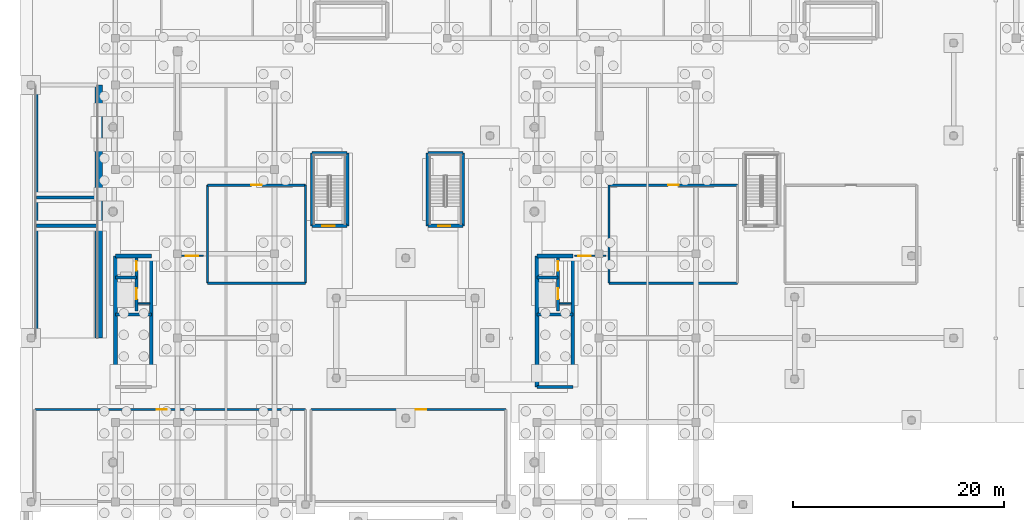
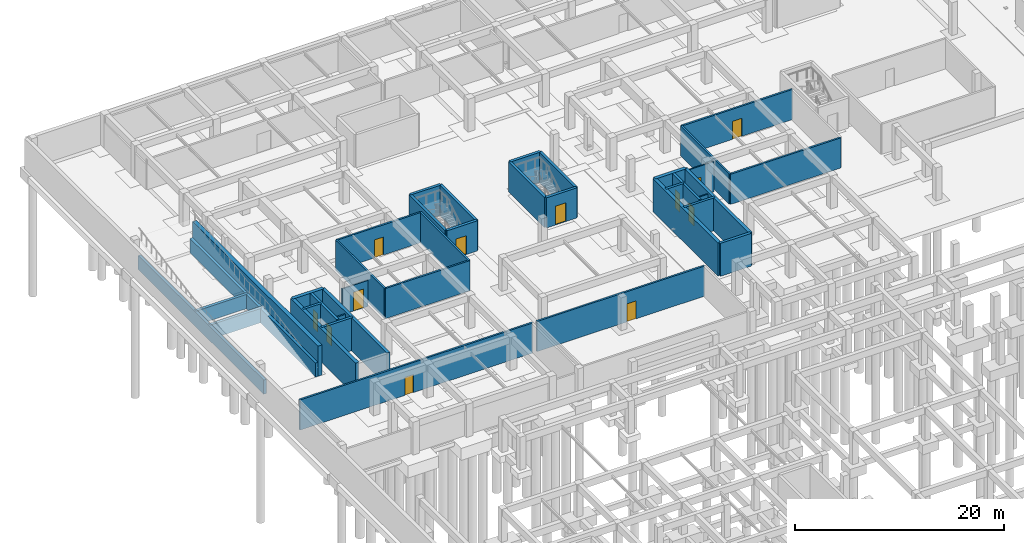
# One storey, part 19 of 35: 39 walls, 12 doors, 12 openings.
"""IFC4 building model written with IfcOpenShell, lengths in metres."""

from ifc_helpers import new_model, si_unit, direction, frame, frame_2d, origin, place, context, subcontext, project, spatial, rectangle, extrude, material, layer, layer_set, type_object, element, fill, save


model = new_model("IFC4")

# Units and contexts
model_context = context("Model", 3, precision=1e-05, world=origin(), true_north=direction((0.0, 1.0)))
body_context = subcontext(model_context, "Body", "Model", "MODEL_VIEW")
ifc_project = project(units=[si_unit("LENGTHUNIT", "METRE"), si_unit("AREAUNIT", "SQUARE_METRE"), si_unit("VOLUMEUNIT", "CUBIC_METRE"), si_unit("PLANEANGLEUNIT", "RADIAN"), si_unit("MASSUNIT", "GRAM", prefix="KILO")], contexts=[model_context])

# Site, building, storey
site_placement = place(None, origin())
site = spatial("IfcSite", under=ifc_project, at=site_placement, CompositionType="ELEMENT")
building_placement = place(site_placement, origin())
building = spatial("IfcBuilding", under=site, at=building_placement, Name="Keldmere Railside Commons", CompositionType="ELEMENT")
storey_placement = place(building_placement, frame((0.0, 0.0, -3.840087890625)))
storey = spatial("IfcBuildingStorey", under=building, at=storey_placement, Name="B1", CompositionType="ELEMENT", Elevation=-3.840087890625)

# Walls
ifc_material_1 = material(Name="Concrete H-35 (C35/45)", Category="concrete")
ifc_layer_1 = layer(ifc_material_1, 0.280029296875, Name="Core Shear Wall 280")
ifc_layer_set_1 = layer_set([ifc_layer_1], Name="Concrete H-35 (C35/45)")
wall_type_1 = type_object("IfcWallType", Name="Core Shear Wall 280", PredefinedType="SHEAR", material=ifc_layer_set_1)
wall_1_placement = place(storey_placement, frame((8.4599609375, 74.239990234375, 0.0), z_axis=(0.0, 0.0, 1.0), x_axis=(1.0, 0.0, 0.0)))
element("IfcWall", 1, at=wall_1_placement, inside=storey, type_object=wall_type_1, Name="CSW-2 COREDM-B1-0019", PredefinedType="SHEAR", context=body_context, shape_type="SweptSolid", body=[
    extrude(rectangle(XDim=3.41015625, YDim=0.280029296875, at=frame_2d((1.705078125, 0.0))), origin(), (0.0, 0.0, 1.0), 3.840087890625),
])
wall_2_placement = place(storey_placement, frame((8.4599609375, 77.75, 0.0), z_axis=(0.0, 0.0, 1.0), x_axis=(1.0, 0.0, 0.0)))
element("IfcWall", 2, at=wall_2_placement, inside=storey, type_object=wall_type_1, Name="CSW-2 COREDL-B1-0020", PredefinedType="SHEAR", context=body_context, shape_type="SweptSolid", body=[
    extrude(rectangle(XDim=2.0, YDim=0.280029296875, at=frame_2d((1.0, 0.0))), origin(), (0.0, 0.0, 1.0), 3.840087890625),
])

# Wall, openings, doors
wall_3_placement = place(storey_placement, frame((10.4599609375, 74.550048828125, 0.0), z_axis=(0.0, 0.0, 1.0), x_axis=(0.0, 1.0, 0.0)))
wall_3 = element("IfcWall", 3, at=wall_3_placement, inside=storey, type_object=wall_type_1, Name="CSW-2 LSHD-B1-0021", PredefinedType="SHEAR", context=body_context, shape_type="SweptSolid", body=[
    extrude(rectangle(XDim=5.25, YDim=0.280029296875, at=frame_2d((2.625, 0.0))), origin(), (0.0, 0.0, 1.0), 3.840087890625),
])
opening_1_placement = place(wall_3_placement, frame((1.14990234375, 0.0, 0.0)))
opening_1 = element("IfcOpeningElement", 4, at=opening_1_placement, cuts=wall_3, Name="Opening LD-1", PredefinedType="OPENING", context=body_context, shape_type="SweptSolid", body=[
    extrude(rectangle(XDim=1.0, YDim=2.14990234375, at=frame_2d((0.5, 1.074951171875))), frame((0.0, 0.14990234375, 0.0), z_axis=(0.0, -1.0, 0.0), x_axis=(1.0, 0.0, 0.0)), (0.0, 0.0, 1.0), 0.300048828125),
])
opening_2_placement = place(wall_3_placement, frame((3.85009765625, 0.0, 0.0)))
opening_2 = element("IfcOpeningElement", 5, at=opening_2_placement, cuts=wall_3, Name="Opening LD-2", PredefinedType="OPENING", context=body_context, shape_type="SweptSolid", body=[
    extrude(rectangle(XDim=0.89990234375, YDim=2.14990234375, at=frame_2d((0.449951171875, 1.074951171875))), frame((0.0, 0.14990234375, 0.0), z_axis=(0.0, -1.0, 0.0), x_axis=(1.0, 0.0, 0.0)), (0.0, 0.0, 1.0), 0.300048828125),
])
ifc_material_2 = material(Name="Steel F-24 (S235)", Category="steel")
door_type_1 = type_object("IfcDoorType", Name="Firefighting Stretcher Lift Landing Door 1000x2150", OperationType="SLIDING_TO_LEFT", PredefinedType="DOOR", material=ifc_material_2)
door_1_placement = place(opening_1_placement, origin())
door_1 = element("IfcDoor", 6, at=door_1_placement, inside=storey, type_object=door_type_1, Name="LD-1 D B1", OperationType="SLIDING_TO_LEFT", OverallHeight=2.14990234375, OverallWidth=1.0, PredefinedType="DOOR", context=body_context, shape_type="SweptSolid", body=[
    extrude(rectangle(XDim=1.0, YDim=2.14990234375, at=frame_2d((0.5, 1.074951171875))), frame((0.0, 0.02490234375, 0.0), z_axis=(0.0, -1.0, 0.0), x_axis=(1.0, 0.0, 0.0)), (0.0, 0.0, 1.0), 0.050048828125),
])
fill(opening_1, door_1)
door_type_2 = type_object("IfcDoorType", Name="Passenger Lift Sliding Landing Door 900x2150", OperationType="SLIDING_TO_RIGHT", PredefinedType="DOOR", material=ifc_material_2)
door_2_placement = place(opening_2_placement, origin())
door_2 = element("IfcDoor", 7, at=door_2_placement, inside=storey, type_object=door_type_2, Name="LD-2 D B1", OperationType="SLIDING_TO_RIGHT", OverallHeight=2.14990234375, OverallWidth=0.89990234375, PredefinedType="DOOR", context=body_context, shape_type="SweptSolid", body=[
    extrude(rectangle(XDim=0.89990234375, YDim=2.14990234375, at=frame_2d((0.449951171875, 1.074951171875))), frame((0.0, 0.02490234375, 0.0), z_axis=(0.0, -1.0, 0.0), x_axis=(1.0, 0.0, 0.0)), (0.0, 0.0, 1.0), 0.050048828125),
])
fill(opening_2, door_2)

# Walls
wall_4_placement = place(storey_placement, frame((48.4599609375, 74.239990234375, 0.0), z_axis=(0.0, 0.0, 1.0), x_axis=(1.0, 0.0, 0.0)))
element("IfcWall", 8, at=wall_4_placement, inside=storey, type_object=wall_type_1, Name="CSW-2 CORECM-B1-0190", PredefinedType="SHEAR", context=body_context, shape_type="SweptSolid", body=[
    extrude(rectangle(XDim=3.41015625, YDim=0.280029296875, at=frame_2d((1.705078125, 0.0))), origin(), (0.0, 0.0, 1.0), 3.840087890625),
])
wall_5_placement = place(storey_placement, frame((48.4599609375, 77.75, 0.0), z_axis=(0.0, 0.0, 1.0), x_axis=(1.0, 0.0, 0.0)))
element("IfcWall", 9, at=wall_5_placement, inside=storey, type_object=wall_type_1, Name="CSW-2 CORECL-B1-0191", PredefinedType="SHEAR", context=body_context, shape_type="SweptSolid", body=[
    extrude(rectangle(XDim=2.0, YDim=0.280029296875, at=frame_2d((1.0, 0.0))), origin(), (0.0, 0.0, 1.0), 3.840087890625),
])

# Wall, openings, doors
wall_6_placement = place(storey_placement, frame((50.4599609375, 74.550048828125, 0.0), z_axis=(0.0, 0.0, 1.0), x_axis=(0.0, 1.0, 0.0)))
wall_6 = element("IfcWall", 10, at=wall_6_placement, inside=storey, type_object=wall_type_1, Name="CSW-2 LSHC-B1-0192", PredefinedType="SHEAR", context=body_context, shape_type="SweptSolid", body=[
    extrude(rectangle(XDim=5.25, YDim=0.280029296875, at=frame_2d((2.625, 0.0))), origin(), (0.0, 0.0, 1.0), 3.840087890625),
])
opening_3_placement = place(wall_6_placement, frame((1.14990234375, 0.0, 0.0)))
opening_3 = element("IfcOpeningElement", 11, at=opening_3_placement, cuts=wall_6, Name="Opening LD-1", PredefinedType="OPENING", context=body_context, shape_type="SweptSolid", body=[
    extrude(rectangle(XDim=1.0, YDim=2.14990234375, at=frame_2d((0.5, 1.074951171875))), frame((0.0, 0.14990234375, 0.0), z_axis=(0.0, -1.0, 0.0), x_axis=(1.0, 0.0, 0.0)), (0.0, 0.0, 1.0), 0.300048828125),
])
opening_4_placement = place(wall_6_placement, frame((3.85009765625, 0.0, 0.0)))
opening_4 = element("IfcOpeningElement", 12, at=opening_4_placement, cuts=wall_6, Name="Opening LD-2", PredefinedType="OPENING", context=body_context, shape_type="SweptSolid", body=[
    extrude(rectangle(XDim=0.89990234375, YDim=2.14990234375, at=frame_2d((0.449951171875, 1.074951171875))), frame((0.0, 0.14990234375, 0.0), z_axis=(0.0, -1.0, 0.0), x_axis=(1.0, 0.0, 0.0)), (0.0, 0.0, 1.0), 0.300048828125),
])
door_3_placement = place(opening_3_placement, origin())
door_3 = element("IfcDoor", 13, at=door_3_placement, inside=storey, type_object=door_type_1, Name="LD-1 C B1", OperationType="SLIDING_TO_LEFT", OverallHeight=2.14990234375, OverallWidth=1.0, PredefinedType="DOOR", context=body_context, shape_type="SweptSolid", body=[
    extrude(rectangle(XDim=1.0, YDim=2.14990234375, at=frame_2d((0.5, 1.074951171875))), frame((0.0, 0.02490234375, 0.0), z_axis=(0.0, -1.0, 0.0), x_axis=(1.0, 0.0, 0.0)), (0.0, 0.0, 1.0), 0.050048828125),
])
fill(opening_3, door_3)
door_4_placement = place(opening_4_placement, origin())
door_4 = element("IfcDoor", 14, at=door_4_placement, inside=storey, type_object=door_type_2, Name="LD-2 C B1", OperationType="SLIDING_TO_RIGHT", OverallHeight=2.14990234375, OverallWidth=0.89990234375, PredefinedType="DOOR", context=body_context, shape_type="SweptSolid", body=[
    extrude(rectangle(XDim=0.89990234375, YDim=2.14990234375, at=frame_2d((0.449951171875, 1.074951171875))), frame((0.0, 0.02490234375, 0.0), z_axis=(0.0, -1.0, 0.0), x_axis=(1.0, 0.0, 0.0)), (0.0, 0.0, 1.0), 0.050048828125),
])
fill(opening_4, door_4)

# Walls
ifc_material_3 = material(Name="Concrete H-40 (C40/50)", Category="concrete")
ifc_layer_2 = layer(ifc_material_3, 0.3798828125, Name="Core Shear Wall 380")
ifc_layer_set_2 = layer_set([ifc_layer_2], Name="Concrete H-40 (C40/50)")
wall_type_2 = type_object("IfcWallType", Name="Core Shear Wall 380", PredefinedType="SHEAR", material=ifc_layer_set_2)
wall_7_placement = place(storey_placement, frame((8.4599609375, 67.35009765625, 0.0), z_axis=(0.0, 0.0, 1.0), x_axis=(0.0, 1.0, 0.0)))
element("IfcWall", 15, at=wall_7_placement, inside=storey, type_object=wall_type_2, Name="CW-CORE COREDW-B1-0015", PredefinedType="SHEAR", context=body_context, shape_type="SweptSolid", body=[
    extrude(rectangle(XDim=12.449951171875, YDim=0.3798828125, at=frame_2d((6.22509765625, 0.0))), origin(), (0.0, 0.0, 1.0), 3.840087890625),
])
wall_8_placement = place(storey_placement, frame((8.4599609375, 79.800048828125, 0.0), z_axis=(0.0, 0.0, 1.0), x_axis=(1.0, 0.0, 0.0)))
element("IfcWall", 16, at=wall_8_placement, inside=storey, type_object=wall_type_2, Name="CW-CORE COREDN-B1-0016", PredefinedType="SHEAR", context=body_context, shape_type="SweptSolid", body=[
    extrude(rectangle(XDim=3.41015625, YDim=0.3798828125, at=frame_2d((1.705078125, 0.0))), origin(), (0.0, 0.0, 1.0), 3.840087890625),
])
wall_9_placement = place(storey_placement, frame((48.4599609375, 67.35009765625, 0.0), z_axis=(0.0, 0.0, 1.0), x_axis=(0.0, 1.0, 0.0)))
element("IfcWall", 17, at=wall_9_placement, inside=storey, type_object=wall_type_2, Name="CW-CORE CORECW-B1-0186", PredefinedType="SHEAR", context=body_context, shape_type="SweptSolid", body=[
    extrude(rectangle(XDim=12.449951171875, YDim=0.3798828125, at=frame_2d((6.22509765625, 0.0))), origin(), (0.0, 0.0, 1.0), 3.840087890625),
])
wall_10_placement = place(storey_placement, frame((48.4599609375, 79.800048828125, 0.0), z_axis=(0.0, 0.0, 1.0), x_axis=(1.0, 0.0, 0.0)))
element("IfcWall", 18, at=wall_10_placement, inside=storey, type_object=wall_type_2, Name="CW-CORE CORECN-B1-0187", PredefinedType="SHEAR", context=body_context, shape_type="SweptSolid", body=[
    extrude(rectangle(XDim=3.41015625, YDim=0.3798828125, at=frame_2d((1.705078125, 0.0))), origin(), (0.0, 0.0, 1.0), 3.840087890625),
])
ifc_layer_3 = layer(ifc_material_1, 0.300048828125, Name="Interior Shear Wall 300")
ifc_layer_set_3 = layer_set([ifc_layer_3], Name="Concrete H-35 (C35/45)")
wall_type_3 = type_object("IfcWallType", Name="Interior Shear Wall 300", PredefinedType="SHEAR", material=ifc_layer_set_3)
for number, where, z_axis, x_axis, name in (
    (19, (0.949951171875, 72.0, 0.0), (0.0, 0.0, 1.0), (0.0, 1.0, 0.0), "ISW-2 WAL-VR1-SUP-W"),
    (20, (6.64990234375, 72.0, 0.0), (0.0, 0.0, 1.0), (0.0, 1.0, 0.0), "ISW-2 WAL-VR1-SUP-E"),
):
    element("IfcWall", number, at=place(storey_placement, frame(where, z_axis=z_axis, x_axis=x_axis)), inside=storey, type_object=wall_type_3, Name=name, PredefinedType="SHEAR", context=body_context, shape_type="SweptSolid", body=[
        extrude(rectangle(XDim=24.0, YDim=0.300048828125, at=frame_2d((12.0, 0.0))), origin(), (0.0, 0.0, 1.0), 1.66015625),
    ])
for number, where, z_axis, x_axis, name in (
    (21, (0.949951171875, 82.64990234375, 0.0), (0.0, 0.0, 1.0), (1.0, 0.0, 0.0), "ISW-2 WAL-VR1-SUP-M1"),
    (22, (0.949951171875, 85.35009765625, 0.0), (0.0, 0.0, 1.0), (1.0, 0.0, 0.0), "ISW-2 WAL-VR1-SUP-M2"),
):
    element("IfcWall", number, at=place(storey_placement, frame(where, z_axis=z_axis, x_axis=x_axis)), inside=storey, type_object=wall_type_3, Name=name, PredefinedType="SHEAR", context=body_context, shape_type="SweptSolid", body=[
        extrude(rectangle(XDim=5.699951171875, YDim=0.300048828125, at=frame_2d((2.85009765625, 0.0))), origin(), (0.0, 0.0, 1.0), 1.66015625),
    ])

# Wall, opening, door
wall_11_placement = place(storey_placement, frame((30.449951171875, 82.64990234375, 0.0), z_axis=(0.0, 0.0, 1.0), x_axis=(-1.0, 0.0, 0.0)))
wall_11 = element("IfcWall", 23, at=wall_11_placement, inside=storey, type_object=wall_type_3, Name="ISW-2 WAL-ST-B1-B1-S", PredefinedType="SHEAR", context=body_context, shape_type="SweptSolid", body=[
    extrude(rectangle(XDim=3.349853515625, YDim=0.300048828125, at=frame_2d((1.6748046875, 0.0))), origin(), (0.0, 0.0, 1.0), 3.52001953125),
])
opening_5_placement = place(wall_11_placement, frame((1.199951171875, 0.0, 0.0)))
opening_5 = element("IfcOpeningElement", 24, at=opening_5_placement, cuts=wall_11, Name="Opening FD-5", PredefinedType="OPENING", context=body_context, shape_type="SweptSolid", body=[
    extrude(rectangle(XDim=1.14990234375, YDim=2.199951171875, at=frame_2d((0.574951171875, 1.10009765625))), frame((0.0, 0.159912109375, 0.0), z_axis=(0.0, -1.0, 0.0), x_axis=(1.0, 0.0, 0.0)), (0.0, 0.0, 1.0), 0.320068359375),
])
door_type_3 = type_object("IfcDoorType", Name="Basement Garage Vestibule Fire Door 1150x2200", OperationType="NOTDEFINED", PredefinedType="DOOR", material=ifc_material_2)
door_5_placement = place(opening_5_placement, origin())
door_5 = element("IfcDoor", 25, at=door_5_placement, inside=storey, type_object=door_type_3, Name="FD-5 ST-B1 B1", OperationType="SINGLE_SWING_LEFT", OverallHeight=2.199951171875, OverallWidth=1.14990234375, PredefinedType="DOOR", context=body_context, shape_type="SweptSolid", body=[
    extrude(rectangle(XDim=1.14990234375, YDim=2.199951171875, at=frame_2d((0.574951171875, 1.10009765625))), frame((0.0, 0.02490234375, 0.0), z_axis=(0.0, -1.0, 0.0), x_axis=(1.0, 0.0, 0.0)), (0.0, 0.0, 1.0), 0.050048828125),
])
fill(opening_5, door_5)

# Walls
wall_12_placement = place(storey_placement, frame((27.10009765625, 82.64990234375, 0.0), z_axis=(0.0, 0.0, 1.0), x_axis=(0.0, 1.0, 0.0)))
element("IfcWall", 26, at=wall_12_placement, inside=storey, type_object=wall_type_3, Name="ISW-2 WAL-ST-B1-B1-W", PredefinedType="SHEAR", context=body_context, shape_type="SweptSolid", body=[
    extrude(rectangle(XDim=6.900146484375, YDim=0.300048828125, at=frame_2d((3.4501953125, 0.0))), origin(), (0.0, 0.0, 1.0), 3.52001953125),
])
wall_13_placement = place(storey_placement, frame((27.10009765625, 89.550048828125, 0.0), z_axis=(0.0, 0.0, 1.0), x_axis=(1.0, 0.0, 0.0)))
element("IfcWall", 27, at=wall_13_placement, inside=storey, type_object=wall_type_3, Name="ISW-2 WAL-ST-B1-B1-N", PredefinedType="SHEAR", context=body_context, shape_type="SweptSolid", body=[
    extrude(rectangle(XDim=3.349853515625, YDim=0.300048828125, at=frame_2d((1.6748046875, 0.0))), origin(), (0.0, 0.0, 1.0), 3.52001953125),
])
wall_14_placement = place(storey_placement, frame((30.449951171875, 89.550048828125, 0.0), z_axis=(0.0, 0.0, 1.0), x_axis=(0.0, -1.0, 0.0)))
element("IfcWall", 28, at=wall_14_placement, inside=storey, type_object=wall_type_3, Name="ISW-2 WAL-ST-B1-B1-E", PredefinedType="SHEAR", context=body_context, shape_type="SweptSolid", body=[
    extrude(rectangle(XDim=6.900146484375, YDim=0.300048828125, at=frame_2d((3.4501953125, 0.0))), origin(), (0.0, 0.0, 1.0), 3.52001953125),
])

# Wall, opening, door
wall_15_placement = place(storey_placement, frame((41.449951171875, 82.64990234375, 0.0), z_axis=(0.0, 0.0, 1.0), x_axis=(-1.0, 0.0, 0.0)))
wall_15 = element("IfcWall", 29, at=wall_15_placement, inside=storey, type_object=wall_type_3, Name="ISW-2 WAL-ST-B2-B1-S", PredefinedType="SHEAR", context=body_context, shape_type="SweptSolid", body=[
    extrude(rectangle(XDim=3.349853515625, YDim=0.300048828125, at=frame_2d((1.6748046875, 0.0))), origin(), (0.0, 0.0, 1.0), 3.52001953125),
])
opening_6_placement = place(wall_15_placement, frame((1.199951171875, 0.0, 0.0)))
opening_6 = element("IfcOpeningElement", 30, at=opening_6_placement, cuts=wall_15, Name="Opening FD-5", PredefinedType="OPENING", context=body_context, shape_type="SweptSolid", body=[
    extrude(rectangle(XDim=1.14990234375, YDim=2.199951171875, at=frame_2d((0.574951171875, 1.10009765625))), frame((0.0, 0.159912109375, 0.0), z_axis=(0.0, -1.0, 0.0), x_axis=(1.0, 0.0, 0.0)), (0.0, 0.0, 1.0), 0.320068359375),
])
door_6_placement = place(opening_6_placement, origin())
door_6 = element("IfcDoor", 31, at=door_6_placement, inside=storey, type_object=door_type_3, Name="FD-5 ST-B2 B1", OperationType="SINGLE_SWING_LEFT", OverallHeight=2.199951171875, OverallWidth=1.14990234375, PredefinedType="DOOR", context=body_context, shape_type="SweptSolid", body=[
    extrude(rectangle(XDim=1.14990234375, YDim=2.199951171875, at=frame_2d((0.574951171875, 1.10009765625))), frame((0.0, 0.02490234375, 0.0), z_axis=(0.0, -1.0, 0.0), x_axis=(1.0, 0.0, 0.0)), (0.0, 0.0, 1.0), 0.050048828125),
])
fill(opening_6, door_6)

# Walls
wall_16_placement = place(storey_placement, frame((38.10009765625, 82.64990234375, 0.0), z_axis=(0.0, 0.0, 1.0), x_axis=(0.0, 1.0, 0.0)))
element("IfcWall", 32, at=wall_16_placement, inside=storey, type_object=wall_type_3, Name="ISW-2 WAL-ST-B2-B1-W", PredefinedType="SHEAR", context=body_context, shape_type="SweptSolid", body=[
    extrude(rectangle(XDim=6.900146484375, YDim=0.300048828125, at=frame_2d((3.4501953125, 0.0))), origin(), (0.0, 0.0, 1.0), 3.52001953125),
])
wall_17_placement = place(storey_placement, frame((38.10009765625, 89.550048828125, 0.0), z_axis=(0.0, 0.0, 1.0), x_axis=(1.0, 0.0, 0.0)))
element("IfcWall", 33, at=wall_17_placement, inside=storey, type_object=wall_type_3, Name="ISW-2 WAL-ST-B2-B1-N", PredefinedType="SHEAR", context=body_context, shape_type="SweptSolid", body=[
    extrude(rectangle(XDim=3.349853515625, YDim=0.300048828125, at=frame_2d((1.6748046875, 0.0))), origin(), (0.0, 0.0, 1.0), 3.52001953125),
])
wall_18_placement = place(storey_placement, frame((41.449951171875, 89.550048828125, 0.0), z_axis=(0.0, 0.0, 1.0), x_axis=(0.0, -1.0, 0.0)))
element("IfcWall", 34, at=wall_18_placement, inside=storey, type_object=wall_type_3, Name="ISW-2 WAL-ST-B2-B1-E", PredefinedType="SHEAR", context=body_context, shape_type="SweptSolid", body=[
    extrude(rectangle(XDim=6.900146484375, YDim=0.300048828125, at=frame_2d((3.4501953125, 0.0))), origin(), (0.0, 0.0, 1.0), 3.52001953125),
])
wall_19_placement = place(storey_placement, frame((51.8701171875, 67.35009765625, 0.0), z_axis=(0.0, 0.0, 1.0), x_axis=(-1.0, 0.0, 0.0)))
element("IfcWall", 35, at=wall_19_placement, inside=storey, type_object=wall_type_3, Name="ISW-2 CORECS-B1-0189", PredefinedType="SHEAR", context=body_context, shape_type="SweptSolid", body=[
    extrude(rectangle(XDim=3.41015625, YDim=0.300048828125, at=frame_2d((1.705078125, 0.0))), origin(), (0.0, 0.0, 1.0), 3.840087890625),
])
ifc_layer_4 = layer(ifc_material_1, 0.340087890625, Name="Interior Shear Wall 340")
ifc_layer_set_4 = layer_set([ifc_layer_4], Name="Concrete H-35 (C35/45)")
wall_type_4 = type_object("IfcWallType", Name="Interior Shear Wall 340", PredefinedType="SHEAR", material=ifc_layer_set_4)
for number, where, z_axis, x_axis, name in (
    (36, (11.8701171875, 79.800048828125, 0.0), (0.0, 0.0, 1.0), (0.0, -1.0, 0.0), "ISW-1 COREDE-B1-0017"),
    (37, (51.8701171875, 79.800048828125, 0.0), (0.0, 0.0, 1.0), (0.0, -1.0, 0.0), "ISW-1 CORECE-B1-0188"),
):
    element("IfcWall", number, at=place(storey_placement, frame(where, z_axis=z_axis, x_axis=x_axis)), inside=storey, type_object=wall_type_4, Name=name, PredefinedType="SHEAR", context=body_context, shape_type="SweptSolid", body=[
        extrude(rectangle(XDim=12.449951171875, YDim=0.340087890625, at=frame_2d((6.22509765625, 0.0))), origin(), (0.0, 0.0, 1.0), 3.840087890625),
    ])
ifc_material_4 = material(Name="Acoustic Gypsum Board Partition", Category="gypsum")
ifc_layer_5 = layer(ifc_material_4, 0.14990234375, Name="Lobby Rated Partition 150")
ifc_layer_set_5 = layer_set([ifc_layer_5], Name="Acoustic Gypsum Board Partition")
wall_type_5 = type_object("IfcWallType", Name="Lobby Rated Partition 150", PredefinedType="PARTITIONING", material=ifc_layer_set_5)
for number, where, z_axis, x_axis, name in (
    (38, (10.60009765625, 75.280029296875, 0.0), (0.0, 0.0, 1.0), (1.0, 0.0, 0.0), "IW-3 RSRND-B1-0022"),
    (39, (50.60009765625, 75.280029296875, 0.0), (0.0, 0.0, 1.0), (1.0, 0.0, 0.0), "IW-3 RSRNC-B1-0193"),
):
    element("IfcWall", number, at=place(storey_placement, frame(where, z_axis=z_axis, x_axis=x_axis)), inside=storey, type_object=wall_type_5, Name=name, PredefinedType="PARTITIONING", context=body_context, shape_type="SweptSolid", body=[
        extrude(rectangle(XDim=1.1298828125, YDim=0.14990234375, at=frame_2d((0.56494140625, 0.0))), origin(), (0.0, 0.0, 1.0), 3.590087890625),
    ])

# Wall, opening, door
wall_20_placement = place(storey_placement, frame((13.949951171875, 79.800048828125, 0.0), z_axis=(0.0, 0.0, 1.0), x_axis=(1.0, 0.0, 0.0)))
wall_20 = element("IfcWall", 40, at=wall_20_placement, inside=storey, type_object=wall_type_5, Name="IW-3 IW-B1-0089", PredefinedType="PARTITIONING", context=body_context, shape_type="SweptSolid", body=[
    extrude(rectangle(XDim=2.85009765625, YDim=0.14990234375, at=frame_2d((1.425048828125, 0.0))), origin(), (0.0, 0.0, 1.0), 3.02001953125),
])
opening_7_placement = place(wall_20_placement, frame((1.199951171875, 0.0, 0.0)))
opening_7 = element("IfcOpeningElement", 41, at=opening_7_placement, cuts=wall_20, Name="Opening FD-5", PredefinedType="OPENING", context=body_context, shape_type="SweptSolid", body=[
    extrude(rectangle(XDim=1.14990234375, YDim=2.199951171875, at=frame_2d((0.574951171875, 1.10009765625))), frame((0.0, 0.0849609375, 0.0), z_axis=(0.0, -1.0, 0.0), x_axis=(1.0, 0.0, 0.0)), (0.0, 0.0, 1.0), 0.169921875),
])
door_7_placement = place(opening_7_placement, origin())
door_7 = element("IfcDoor", 42, at=door_7_placement, inside=storey, type_object=door_type_3, Name="FD-5 IDR-B1-0023", OperationType="SINGLE_SWING_LEFT", OverallHeight=2.199951171875, OverallWidth=1.14990234375, PredefinedType="DOOR", context=body_context, shape_type="SweptSolid", body=[
    extrude(rectangle(XDim=1.14990234375, YDim=2.199951171875, at=frame_2d((0.574951171875, 1.10009765625))), frame((0.0, 0.02490234375, 0.0), z_axis=(0.0, -1.0, 0.0), x_axis=(1.0, 0.0, 0.0)), (0.0, 0.0, 1.0), 0.050048828125),
])
fill(opening_7, door_7)

wall_21_placement = place(storey_placement, frame((52.0, 79.800048828125, 0.0), z_axis=(0.0, 0.0, 1.0), x_axis=(1.0, 0.0, 0.0)))
wall_21 = element("IfcWall", 43, at=wall_21_placement, inside=storey, type_object=wall_type_5, Name="IW-3 IW-B1-0090", PredefinedType="PARTITIONING", context=body_context, shape_type="SweptSolid", body=[
    extrude(rectangle(XDim=3.0, YDim=0.14990234375, at=frame_2d((1.5, 0.0))), origin(), (0.0, 0.0, 1.0), 3.52001953125),
])
opening_8_placement = place(wall_21_placement, frame((0.39990234375, 0.0, 0.0)))
opening_8 = element("IfcOpeningElement", 44, at=opening_8_placement, cuts=wall_21, Name="Opening FD-5", PredefinedType="OPENING", context=body_context, shape_type="SweptSolid", body=[
    extrude(rectangle(XDim=1.14990234375, YDim=2.199951171875, at=frame_2d((0.574951171875, 1.10009765625))), frame((0.0, 0.0849609375, 0.0), z_axis=(0.0, -1.0, 0.0), x_axis=(1.0, 0.0, 0.0)), (0.0, 0.0, 1.0), 0.169921875),
])
door_8_placement = place(opening_8_placement, origin())
door_8 = element("IfcDoor", 45, at=door_8_placement, inside=storey, type_object=door_type_3, Name="FD-5 IDR-B1-0024", OperationType="SINGLE_SWING_RIGHT", OverallHeight=2.199951171875, OverallWidth=1.14990234375, PredefinedType="DOOR", context=body_context, shape_type="SweptSolid", body=[
    extrude(rectangle(XDim=1.14990234375, YDim=2.199951171875, at=frame_2d((0.574951171875, 1.10009765625))), frame((0.0, 0.02490234375, 0.0), z_axis=(0.0, -1.0, 0.0), x_axis=(1.0, 0.0, 0.0)), (0.0, 0.0, 1.0), 0.050048828125),
])
fill(opening_8, door_8)

ifc_material_5 = material(Name="Terracotta Brick Masonry", Category="masonry")
ifc_layer_6 = layer(ifc_material_5, 0.199951171875, Name="Plant Masonry Infill Wall 200")
ifc_layer_set_6 = layer_set([ifc_layer_6], Name="Terracotta Brick Masonry")
wall_type_6 = type_object("IfcWallType", Name="Plant Masonry Infill Wall 200", PredefinedType="SOLIDWALL", material=ifc_layer_set_6)
wall_22_placement = place(storey_placement, frame((26.5, 65.199951171875, 0.0), z_axis=(0.0, 0.0, 1.0), x_axis=(-1.0, 0.0, 0.0)))
wall_22 = element("IfcWall", 46, at=wall_22_placement, inside=storey, type_object=wall_type_6, Name="MW-1 IW-B1-0031", PredefinedType="SOLIDWALL", context=body_context, shape_type="SweptSolid", body=[
    extrude(rectangle(XDim=25.699951171875, YDim=0.199951171875, at=frame_2d((12.85009765625, 0.0))), origin(), (0.0, 0.0, 1.0), 3.52001953125),
])
opening_9_placement = place(wall_22_placement, frame((13.14990234375, 0.0, 0.0)))
opening_9 = element("IfcOpeningElement", 47, at=opening_9_placement, cuts=wall_22, Name="Opening FD-3", PredefinedType="OPENING", context=body_context, shape_type="SweptSolid", body=[
    extrude(rectangle(XDim=0.949951171875, YDim=2.10009765625, at=frame_2d((0.47509765625, 1.050048828125))), frame((0.0, 0.10986328125, 0.0), z_axis=(0.0, -1.0, 0.0), x_axis=(1.0, 0.0, 0.0)), (0.0, 0.0, 1.0), 0.219970703125),
])
door_type_4 = type_object("IfcDoorType", Name="Plant & Riser Fire Door 950x2100", OperationType="NOTDEFINED", PredefinedType="DOOR", material=ifc_material_2)
door_9_placement = place(opening_9_placement, origin())
door_9 = element("IfcDoor", 48, at=door_9_placement, inside=storey, type_object=door_type_4, Name="FD-3 IDR-B1-0008", OperationType="SINGLE_SWING_RIGHT", OverallHeight=2.10009765625, OverallWidth=0.949951171875, PredefinedType="DOOR", context=body_context, shape_type="SweptSolid", body=[
    extrude(rectangle(XDim=0.949951171875, YDim=2.10009765625, at=frame_2d((0.47509765625, 1.050048828125))), frame((0.0, 0.02490234375, 0.0), z_axis=(0.0, -1.0, 0.0), x_axis=(1.0, 0.0, 0.0)), (0.0, 0.0, 1.0), 0.050048828125),
])
fill(opening_9, door_9)

# Walls
for number, where, z_axis, x_axis, name in (
    (49, (17.199951171875, 77.199951171875, 0.0), (0.0, 0.0, 1.0), (1.0, 0.0, 0.0), "MW-1 IW-B1-0033"),
    (50, (26.5, 77.199951171875, 0.0), (0.0, 0.0, 1.0), (0.0, 1.0, 0.0), "MW-1 IW-B1-0034"),
):
    element("IfcWall", number, at=place(storey_placement, frame(where, z_axis=z_axis, x_axis=x_axis)), inside=storey, type_object=wall_type_6, Name=name, PredefinedType="SOLIDWALL", context=body_context, shape_type="SweptSolid", body=[
        extrude(rectangle(XDim=9.300048828125, YDim=0.199951171875, at=frame_2d((4.64990234375, 0.0))), origin(), (0.0, 0.0, 1.0), 3.52001953125),
    ])

# Wall, opening, door
wall_23_placement = place(storey_placement, frame((26.5, 86.5, 0.0), z_axis=(0.0, 0.0, 1.0), x_axis=(-1.0, 0.0, 0.0)))
wall_23 = element("IfcWall", 51, at=wall_23_placement, inside=storey, type_object=wall_type_6, Name="MW-1 IW-B1-0035", PredefinedType="SOLIDWALL", context=body_context, shape_type="SweptSolid", body=[
    extrude(rectangle(XDim=9.300048828125, YDim=0.199951171875, at=frame_2d((4.64990234375, 0.0))), origin(), (0.0, 0.0, 1.0), 3.52001953125),
])
opening_10_placement = place(wall_23_placement, frame((4.14990234375, 0.0, 0.0)))
opening_10 = element("IfcOpeningElement", 52, at=opening_10_placement, cuts=wall_23, Name="Opening FD-9", PredefinedType="OPENING", context=body_context, shape_type="SweptSolid", body=[
    extrude(rectangle(XDim=1.0, YDim=2.10009765625, at=frame_2d((0.5, 1.050048828125))), frame((0.0, 0.10986328125, 0.0), z_axis=(0.0, -1.0, 0.0), x_axis=(1.0, 0.0, 0.0)), (0.0, 0.0, 1.0), 0.219970703125),
])
door_type_5 = type_object("IfcDoorType", Name="Waste & Storage Fire Door 1000x2100", OperationType="NOTDEFINED", PredefinedType="DOOR", material=ifc_material_2)
door_10_placement = place(opening_10_placement, origin())
door_10 = element("IfcDoor", 53, at=door_10_placement, inside=storey, type_object=door_type_5, Name="FD-9 IDR-B1-0009", OperationType="SINGLE_SWING_LEFT", OverallHeight=2.10009765625, OverallWidth=1.0, PredefinedType="DOOR", context=body_context, shape_type="SweptSolid", body=[
    extrude(rectangle(XDim=1.0, YDim=2.10009765625, at=frame_2d((0.5, 1.050048828125))), frame((0.0, 0.02490234375, 0.0), z_axis=(0.0, -1.0, 0.0), x_axis=(1.0, 0.0, 0.0)), (0.0, 0.0, 1.0), 0.050048828125),
])
fill(opening_10, door_10)

# Walls
wall_24_placement = place(storey_placement, frame((17.199951171875, 86.5, 0.0), z_axis=(0.0, 0.0, 1.0), x_axis=(0.0, -1.0, 0.0)))
element("IfcWall", 54, at=wall_24_placement, inside=storey, type_object=wall_type_6, Name="MW-1 IW-B1-0036", PredefinedType="SOLIDWALL", context=body_context, shape_type="SweptSolid", body=[
    extrude(rectangle(XDim=9.300048828125, YDim=0.199951171875, at=frame_2d((4.64990234375, 0.0))), origin(), (0.0, 0.0, 1.0), 3.52001953125),
])
wall_25_placement = place(storey_placement, frame((55.300048828125, 77.199951171875, 0.0), z_axis=(0.0, 0.0, 1.0), x_axis=(1.0, 0.0, 0.0)))
element("IfcWall", 55, at=wall_25_placement, inside=storey, type_object=wall_type_6, Name="MW-1 IW-B1-0037", PredefinedType="SOLIDWALL", context=body_context, shape_type="SweptSolid", body=[
    extrude(rectangle(XDim=12.199951171875, YDim=0.199951171875, at=frame_2d((6.10009765625, 0.0))), origin(), (0.0, 0.0, 1.0), 3.52001953125),
])

# Wall, opening, door
wall_26_placement = place(storey_placement, frame((67.5, 86.5, 0.0), z_axis=(0.0, 0.0, 1.0), x_axis=(-1.0, 0.0, 0.0)))
wall_26 = element("IfcWall", 56, at=wall_26_placement, inside=storey, type_object=wall_type_6, Name="MW-1 IW-B1-0039", PredefinedType="SOLIDWALL", context=body_context, shape_type="SweptSolid", body=[
    extrude(rectangle(XDim=12.199951171875, YDim=0.199951171875, at=frame_2d((6.10009765625, 0.0))), origin(), (0.0, 0.0, 1.0), 3.52001953125),
])
opening_11_placement = place(wall_26_placement, frame((5.60009765625, 0.0, 0.0)))
opening_11 = element("IfcOpeningElement", 57, at=opening_11_placement, cuts=wall_26, Name="Opening FD-9", PredefinedType="OPENING", context=body_context, shape_type="SweptSolid", body=[
    extrude(rectangle(XDim=1.0, YDim=2.10009765625, at=frame_2d((0.5, 1.050048828125))), frame((0.0, 0.10986328125, 0.0), z_axis=(0.0, -1.0, 0.0), x_axis=(1.0, 0.0, 0.0)), (0.0, 0.0, 1.0), 0.219970703125),
])
door_11_placement = place(opening_11_placement, origin())
door_11 = element("IfcDoor", 58, at=door_11_placement, inside=storey, type_object=door_type_5, Name="FD-9 IDR-B1-0010", OperationType="SINGLE_SWING_RIGHT", OverallHeight=2.10009765625, OverallWidth=1.0, PredefinedType="DOOR", context=body_context, shape_type="SweptSolid", body=[
    extrude(rectangle(XDim=1.0, YDim=2.10009765625, at=frame_2d((0.5, 1.050048828125))), frame((0.0, 0.02490234375, 0.0), z_axis=(0.0, -1.0, 0.0), x_axis=(1.0, 0.0, 0.0)), (0.0, 0.0, 1.0), 0.050048828125),
])
fill(opening_11, door_11)

# Wall
wall_27_placement = place(storey_placement, frame((55.300048828125, 86.5, 0.0), z_axis=(0.0, 0.0, 1.0), x_axis=(0.0, -1.0, 0.0)))
element("IfcWall", 59, at=wall_27_placement, inside=storey, type_object=wall_type_6, Name="MW-1 IW-B1-0040", PredefinedType="SOLIDWALL", context=body_context, shape_type="SweptSolid", body=[
    extrude(rectangle(XDim=9.300048828125, YDim=0.199951171875, at=frame_2d((4.64990234375, 0.0))), origin(), (0.0, 0.0, 1.0), 3.52001953125),
])

# Wall, opening, door
wall_28_placement = place(storey_placement, frame((45.5, 65.199951171875, 0.0), z_axis=(0.0, 0.0, 1.0), x_axis=(-1.0, 0.0, 0.0)))
wall_28 = element("IfcWall", 60, at=wall_28_placement, inside=storey, type_object=wall_type_6, Name="MW-1 IW-B1-0083", PredefinedType="SOLIDWALL", context=body_context, shape_type="SweptSolid", body=[
    extrude(rectangle(XDim=18.5, YDim=0.199951171875, at=frame_2d((9.25, 0.0))), origin(), (0.0, 0.0, 1.0), 3.52001953125),
])
opening_12_placement = place(wall_28_placement, frame((7.550048828125, 0.0, 0.0)))
opening_12 = element("IfcOpeningElement", 61, at=opening_12_placement, cuts=wall_28, Name="Opening FD-9", PredefinedType="OPENING", context=body_context, shape_type="SweptSolid", body=[
    extrude(rectangle(XDim=1.0, YDim=2.10009765625, at=frame_2d((0.5, 1.050048828125))), frame((0.0, 0.10986328125, 0.0), z_axis=(0.0, -1.0, 0.0), x_axis=(1.0, 0.0, 0.0)), (0.0, 0.0, 1.0), 0.219970703125),
])
door_12_placement = place(opening_12_placement, origin())
door_12 = element("IfcDoor", 62, at=door_12_placement, inside=storey, type_object=door_type_5, Name="FD-9 IDR-B1-0021", OperationType="SINGLE_SWING_LEFT", OverallHeight=2.10009765625, OverallWidth=1.0, PredefinedType="DOOR", context=body_context, shape_type="SweptSolid", body=[
    extrude(rectangle(XDim=1.0, YDim=2.10009765625, at=frame_2d((0.5, 1.050048828125))), frame((0.0, 0.02490234375, 0.0), z_axis=(0.0, -1.0, 0.0), x_axis=(1.0, 0.0, 0.0)), (0.0, 0.0, 1.0), 0.050048828125),
])
fill(opening_12, door_12)

# Wall
ifc_layer_7 = layer(ifc_material_3, 0.449951171875, Name="Ramp Retaining Wall 450")
ifc_layer_set_7 = layer_set([ifc_layer_7], Name="Concrete H-40 (C40/50)")
wall_type_7 = type_object("IfcWallType", Name="Ramp Retaining Wall 450", PredefinedType="SOLIDWALL", material=ifc_layer_set_7)
wall_29_placement = place(storey_placement, frame((7.02490234375, 72.0, 0.0), z_axis=(0.0, 0.0, 1.0), x_axis=(0.0, 1.0, 0.0)))
element("IfcWall", 63, at=wall_29_placement, inside=storey, type_object=wall_type_7, Name="RW-2 RWR-B1-0014", PredefinedType="SOLIDWALL", context=body_context, shape_type="SweptSolid", body=[
    extrude(rectangle(XDim=24.0, YDim=0.449951171875, at=frame_2d((12.0, 0.0))), origin(), (0.0, 0.0, 1.0), 3.52001953125),
])

save(model, "model.ifc")
